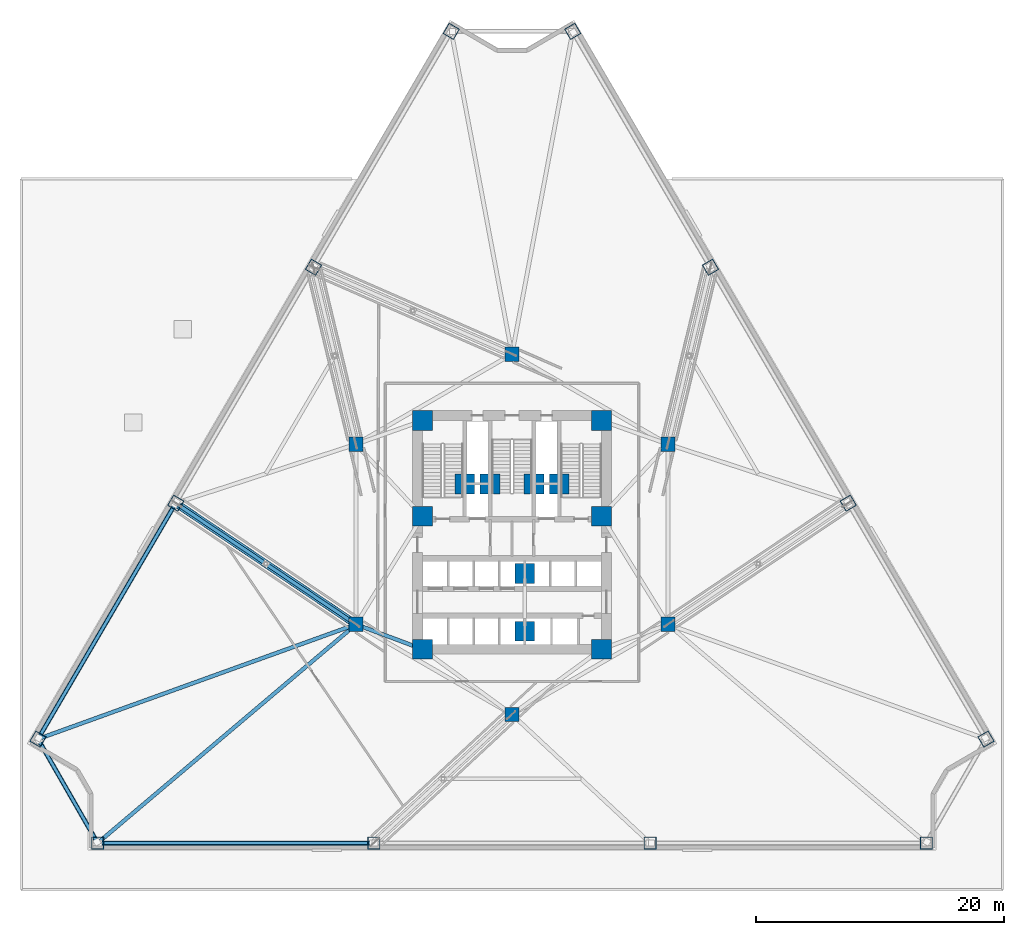
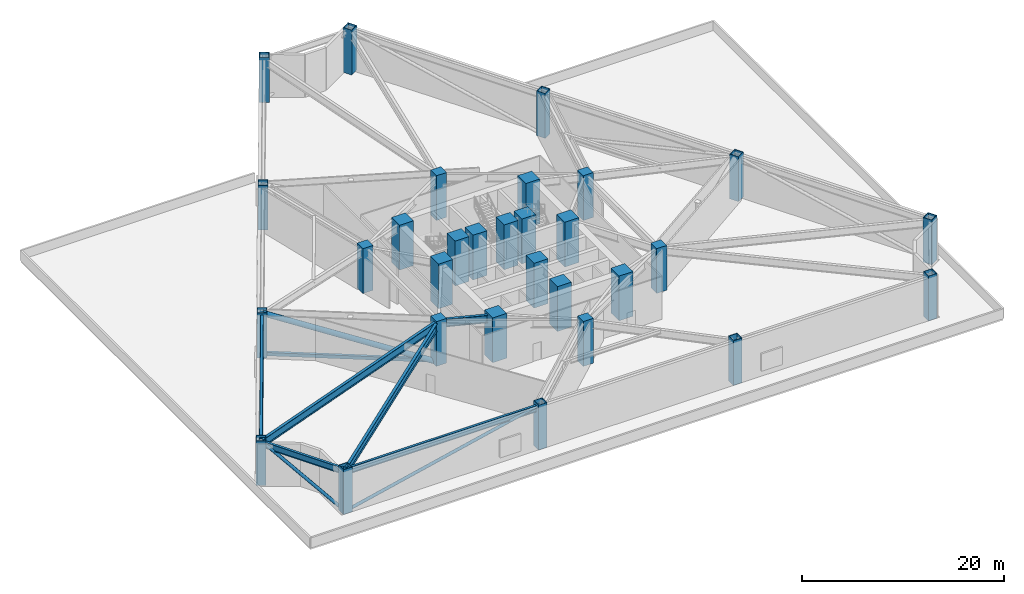
# One storey, part 1 of 23: 30 columns, 6 beams, 5 members.
"""IFC4 building model written with IfcOpenShell, lengths in metres."""

from ifc_helpers import new_model, si_unit, direction, frame, origin, origin_2d, place, context, subcontext, project, spatial, rectangle, hollow_rectangle, hollow_circle, i_section, extrude, material, material_profile, profile_set, type_object, element, save


model = new_model("IFC4")

# Units and contexts
model_context = context("Model", 3, precision=1e-05, world=origin(), true_north=direction((0.0, 1.0)))
body_context = subcontext(model_context, "Body", "Model", "MODEL_VIEW")
ifc_project = project(units=[si_unit("LENGTHUNIT", "METRE"), si_unit("AREAUNIT", "SQUARE_METRE"), si_unit("VOLUMEUNIT", "CUBIC_METRE"), si_unit("PLANEANGLEUNIT", "RADIAN"), si_unit("MASSUNIT", "GRAM", prefix="KILO")], contexts=[model_context])

# Site, building, storey
site_placement = place(None, origin())
site = spatial("IfcSite", under=ifc_project, at=site_placement, CompositionType="ELEMENT")
building_placement = place(site_placement, origin())
building = spatial("IfcBuilding", under=site, at=building_placement, Name="Apsidion Concourse Tower", CompositionType="ELEMENT")
storey_placement = place(building_placement, frame((0.0, 0.0, 29.0)))
storey = spatial("IfcBuildingStorey", under=building, at=storey_placement, Name="L05", CompositionType="ELEMENT", Elevation=29.0)

# Columns
ifc_material_1 = material(Name="Structural steel ASTM A572 Grade 50", Category="steel")
ifc_material_profile_1 = material_profile(ifc_material_1, hollow_rectangle(XDim=1.0, YDim=1.0, WallThickness=0.06005859375, at=origin_2d()), Name="BOX1000X1000X60")
ifc_profile_set_1 = profile_set([ifc_material_profile_1], Name="Structural steel ASTM A572 Grade 50")
column_type_1 = type_object("IfcColumnType", Name="COL-BOX-1000", PredefinedType="COLUMN", material=ifc_profile_set_1)
for number, where, z_axis, x_axis, name in (
    (1, (-4.887451171875, 40.481201171875, 0.0), (0.0, 0.0, 1.0), (0.50437692518, 0.863483594138, 0.0), "L05 Rotated Perimeter Column PC01"),
    (2, (-15.976318359375, 21.49365234375, 0.0), (0.0, 0.0, 1.0), (0.50437692518, 0.863483594138, 0.0), "L05 Rotated Perimeter Column PC02"),
    (3, (-27.065185546875, 2.50634765625, 0.0), (0.0, 0.0, 1.0), (0.50437692518, 0.863483594138, 0.0), "L05 Rotated Perimeter Column PC03"),
    (4, (-38.154052734375, -16.481201171875, 0.0), (0.0, 0.0, 1.0), (0.50437692518, 0.863483594138, 0.0), "L05 Rotated Perimeter Column PC04"),
    (5, (-33.35009765625, -24.85009765625, 0.0), (0.0, 0.0, 1.0), (1.0, 0.0, 0.0), "L05 Rotated Perimeter Column PC05"),
    (6, (-11.11669921875, -24.85009765625, 0.0), (0.0, 0.0, 1.0), (1.0, 0.0, 0.0), "L05 Rotated Perimeter Column PC06"),
    (7, (11.11669921875, -24.85009765625, 0.0), (0.0, 0.0, 1.0), (1.0, 0.0, 0.0), "L05 Rotated Perimeter Column PC07"),
    (8, (33.35009765625, -24.85009765625, 0.0), (0.0, 0.0, 1.0), (1.0, 0.0, 0.0), "L05 Rotated Perimeter Column PC08"),
    (9, (38.154052734375, -16.481201171875, 0.0), (0.0, 0.0, 1.0), (-0.50437692518, 0.863483594138, 0.0), "L05 Rotated Perimeter Column PC09"),
    (10, (27.065185546875, 2.50634765625, 0.0), (0.0, 0.0, 1.0), (-0.50437692518, 0.863483594138, 0.0), "L05 Rotated Perimeter Column PC10"),
    (11, (15.976318359375, 21.49365234375, 0.0), (0.0, 0.0, 1.0), (-0.50437692518, 0.863483594138, 0.0), "L05 Rotated Perimeter Column PC11"),
    (12, (4.887451171875, 40.481201171875, 0.0), (0.0, 0.0, 1.0), (-0.50437692518, 0.863483594138, 0.0), "L05 Rotated Perimeter Column PC12"),
):
    element("IfcColumn", number, at=place(storey_placement, frame(where, z_axis=z_axis, x_axis=x_axis)), inside=storey, type_object=column_type_1, Name=name, PredefinedType="COLUMN", context=body_context, shape_type="SweptSolid", body=[
        extrude(hollow_rectangle(XDim=1.0, YDim=1.0, WallThickness=0.06005859375, at=origin_2d()), origin(), (0.0, 0.0, 1.0), 5.39990234375),
    ])
ifc_material_2 = material(Name="Concrete C50/60", Category="concrete")
ifc_material_profile_2 = material_profile(ifc_material_2, rectangle(XDim=1.14990234375, YDim=1.14990234375, at=origin_2d()), Name="RC 1150x1150")
ifc_profile_set_2 = profile_set([ifc_material_profile_2], Name="Concrete C50/60")
column_type_2 = type_object("IfcColumnType", Name="COL-RC-1150", PredefinedType="COLUMN", material=ifc_profile_set_2)
for number, where, z_axis, x_axis, name in (
    (13, (-12.56005859375, -7.25, 0.0), (0.0, 0.0, 1.0), (1.0, 0.0, 0.0), "L05 Interior Spine Column IC1"),
    (14, (12.56005859375, -7.25, 0.0), (0.0, 0.0, 1.0), (1.0, 0.0, 0.0), "L05 Interior Spine Column IC2"),
    (15, (12.56005859375, 7.25, 0.0), (0.0, 0.0, 1.0), (1.0, 0.0, 0.0), "L05 Interior Spine Column IC3"),
    (16, (0.0, 14.5, 0.0), (0.0, 0.0, 1.0), (1.0, 0.0, 0.0), "L05 Interior Spine Column IC4"),
    (17, (-12.56005859375, 7.25, 0.0), (0.0, 0.0, 1.0), (1.0, 0.0, 0.0), "L05 Interior Spine Column IC5"),
    (18, (0.0, -14.5, 0.0), (0.0, 0.0, 1.0), (1.0, 0.0, 0.0), "L05 Interior Spine Column IC6"),
):
    element("IfcColumn", number, at=place(storey_placement, frame(where, z_axis=z_axis, x_axis=x_axis)), inside=storey, type_object=column_type_2, Name=name, PredefinedType="COLUMN", context=body_context, shape_type="SweptSolid", body=[
        extrude(rectangle(XDim=1.14990234375, YDim=1.14990234375, at=origin_2d()), origin(), (0.0, 0.0, 1.0), 5.39990234375),
    ])
ifc_material_3 = material(Name="Concrete C60/75", Category="concrete")
ifc_material_profile_3 = material_profile(ifc_material_3, rectangle(XDim=1.60009765625, YDim=1.60009765625, at=origin_2d()), Name="RC 1600x1600")
ifc_profile_set_3 = profile_set([ifc_material_profile_3], Name="Concrete C60/75")
column_type_3 = type_object("IfcColumnType", Name="COL-RC-1600", PredefinedType="COLUMN", material=ifc_profile_set_3)
for number, where, z_axis, x_axis, name in (
    (19, (-7.199951171875, -9.25, 0.0), (0.0, 0.0, 1.0), (1.0, 0.0, 0.0), "L05 Core Super-Column SC1"),
    (20, (7.199951171875, -9.25, 0.0), (0.0, 0.0, 1.0), (1.0, 0.0, 0.0), "L05 Core Super-Column SC2"),
    (21, (7.199951171875, 1.449951171875, 0.0), (0.0, 0.0, 1.0), (1.0, 0.0, 0.0), "L05 Core Super-Column SC3"),
    (22, (7.199951171875, 9.14990234375, 0.0), (0.0, 0.0, 1.0), (1.0, 0.0, 0.0), "L05 Core Super-Column SC4"),
    (23, (-7.199951171875, 9.14990234375, 0.0), (0.0, 0.0, 1.0), (1.0, 0.0, 0.0), "L05 Core Super-Column SC5"),
    (24, (-7.199951171875, 1.449951171875, 0.0), (0.0, 0.0, 1.0), (1.0, 0.0, 0.0), "L05 Core Super-Column SC6"),
    (25, (-3.800048828125, 4.050048828125, 0.0), (0.0, 0.0, 1.0), (1.0, 0.0, 0.0), "L05 Core Super-Column CC1"),
    (26, (3.800048828125, 4.050048828125, 0.0), (0.0, 0.0, 1.0), (1.0, 0.0, 0.0), "L05 Core Super-Column CC2"),
    (27, (-1.77490234375, 4.050048828125, 0.0), (0.0, 0.0, 1.0), (1.0, 0.0, 0.0), "L05 Core Super-Column CC3"),
    (28, (1.77490234375, 4.050048828125, 0.0), (0.0, 0.0, 1.0), (1.0, 0.0, 0.0), "L05 Core Super-Column CC4"),
    (29, (1.02490234375, -3.14990234375, 0.0), (0.0, 0.0, 1.0), (1.0, 0.0, 0.0), "L05 Core Super-Column CC5"),
    (30, (1.02490234375, -7.800048828125, 0.0), (0.0, 0.0, 1.0), (1.0, 0.0, 0.0), "L05 Core Super-Column CC6"),
):
    element("IfcColumn", number, at=place(storey_placement, frame(where, z_axis=z_axis, x_axis=x_axis)), inside=storey, type_object=column_type_3, Name=name, PredefinedType="COLUMN", context=body_context, shape_type="SweptSolid", body=[
        extrude(rectangle(XDim=1.60009765625, YDim=1.60009765625, at=origin_2d()), origin(), (0.0, 0.0, 1.0), 5.39990234375),
    ])

# Beams
ifc_material_4 = material(Name="Structural steel ASTM A992 Grade 50", Category="steel")
ifc_material_profile_4 = material_profile(ifc_material_4, i_section(OverallWidth=0.31005859375, OverallDepth=0.931884765625, WebThickness=0.02099609375, FlangeThickness=0.034423828125, at=origin_2d()), Name="W36X210")
ifc_profile_set_4 = profile_set([ifc_material_profile_4], Name="Structural steel ASTM A992 Grade 50")
beam_type_1 = type_object("IfcBeamType", Name="BM-G-W36", PredefinedType="USERDEFINED", material=ifc_profile_set_4)
beam_1_placement = place(storey_placement, frame((-12.185302734375, -7.389892578125, 4.68408203125), z_axis=(0.936913021145, -0.349562570664, 0.0), x_axis=(0.349562570664, 0.936913021145, 0.0)))
element("IfcBeam", 31, at=beam_1_placement, inside=storey, type_object=beam_type_1, Name="L05 Core Coupling Girder IC1-SC1", ObjectType="GIRDER", PredefinedType="USERDEFINED", context=body_context, shape_type="SweptSolid", body=[
    extrude(i_section(OverallWidth=0.31005859375, OverallDepth=0.931884765625, WebThickness=0.02099609375, FlangeThickness=0.034423828125, at=origin_2d()), origin(), (0.0, 0.0, 1.0), 4.921142578125),
])
beam_2_placement = place(storey_placement, frame((-12.76708984375, -7.32470703125, 4.68408203125), z_axis=(-0.940684701446, -0.339282024968, 0.0), x_axis=(0.339282024968, -0.940684701446, 0.0)))
element("IfcBeam", 32, at=beam_2_placement, inside=storey, type_object=beam_type_1, Name="L05 Radial Floor Girder RAD-04", ObjectType="GIRDER", PredefinedType="USERDEFINED", context=body_context, shape_type="SweptSolid", body=[
    extrude(i_section(OverallWidth=0.31005859375, OverallDepth=0.931884765625, WebThickness=0.02099609375, FlangeThickness=0.034423828125, at=origin_2d()), origin(), (0.0, 0.0, 1.0), 26.767578125),
])
beam_3_placement = place(storey_placement, frame((-12.727783203125, -7.39208984375, 4.68408203125), z_axis=(-0.763231804576, -0.646124765416, 0.0), x_axis=(0.646124765416, -0.763231804576, 0.0)))
element("IfcBeam", 33, at=beam_3_placement, inside=storey, type_object=beam_type_1, Name="L05 Radial Floor Girder RAD-05", ObjectType="GIRDER", PredefinedType="USERDEFINED", context=body_context, shape_type="SweptSolid", body=[
    extrude(i_section(OverallWidth=0.31005859375, OverallDepth=0.931884765625, WebThickness=0.02099609375, FlangeThickness=0.034423828125, at=origin_2d()), origin(), (0.0, 0.0, 1.0), 26.799560546875),
])
ifc_material_profile_5 = material_profile(ifc_material_4, i_section(OverallWidth=0.26806640625, OverallDepth=0.77001953125, WebThickness=0.015625, FlangeThickness=0.025390625, at=origin_2d()), Name="W30X132")
ifc_profile_set_5 = profile_set([ifc_material_profile_5], Name="Structural steel ASTM A992 Grade 50")
beam_type_2 = type_object("IfcBeamType", Name="BM-SP-W30", PredefinedType="SPANDREL", material=ifc_profile_set_5)
beam_4_placement = place(storey_placement, frame((-27.176025390625, 2.31640625, 4.764892578125), z_axis=(-0.504316170532, -0.863519079198, 0.0), x_axis=(0.863519079198, -0.504316170532, 0.0)))
element("IfcBeam", 34, at=beam_4_placement, inside=storey, type_object=beam_type_2, Name="L05 Perimeter Spandrel Girder SP-03", PredefinedType="SPANDREL", context=body_context, shape_type="SweptSolid", body=[
    extrude(i_section(OverallWidth=0.26806640625, OverallDepth=0.77001953125, WebThickness=0.015625, FlangeThickness=0.025390625, at=origin_2d()), origin(), (0.0, 0.0, 1.0), 21.54833984375),
])
beam_5_placement = place(storey_placement, frame((-38.04443359375, -16.671875, 4.764892578125), z_axis=(0.497839457155, -0.867269205553, 0.0), x_axis=(0.867269205553, 0.497839457155, 0.0)))
element("IfcBeam", 35, at=beam_5_placement, inside=storey, type_object=beam_type_2, Name="L05 Perimeter Spandrel Girder SP-04", PredefinedType="SPANDREL", context=body_context, shape_type="SweptSolid", body=[
    extrude(i_section(OverallWidth=0.26806640625, OverallDepth=0.77001953125, WebThickness=0.015625, FlangeThickness=0.025390625, at=origin_2d()), origin(), (0.0, 0.0, 1.0), 9.209716796875),
])
beam_6_placement = place(storey_placement, frame((-33.1298828125, -24.85009765625, 4.764892578125), z_axis=(1.0, 0.0, 0.0), x_axis=(0.0, 1.0, 0.0)))
element("IfcBeam", 36, at=beam_6_placement, inside=storey, type_object=beam_type_2, Name="L05 Perimeter Spandrel Girder SP-05", PredefinedType="SPANDREL", context=body_context, shape_type="SweptSolid", body=[
    extrude(i_section(OverallWidth=0.26806640625, OverallDepth=0.77001953125, WebThickness=0.015625, FlangeThickness=0.025390625, at=origin_2d()), origin(), (0.0, 0.0, 1.0), 21.793212890625),
])

# Members
ifc_material_5 = material(Name="Structural steel ASTM A500 Grade C", Category="steel")
ifc_material_profile_6 = material_profile(ifc_material_5, hollow_circle(Radius=0.177978515625, WallThickness=0.02001953125, at=origin_2d()), Name="CHS356X20")
ifc_profile_set_6 = profile_set([ifc_material_profile_6], Name="Structural steel ASTM A500 Grade C")
member_type_1 = type_object("IfcMemberType", Name="MB-BR-CHS356", PredefinedType="BRACE", material=ifc_profile_set_6)
member_1_placement = place(storey_placement, frame((-27.115478515625, 2.419921875, 0.0), z_axis=(-0.491285607272, -0.841223039182, 0.225792494199), x_axis=(0.863523161878, -0.504309179869, 0.0)))
element("IfcMember", 37, at=member_1_placement, inside=storey, type_object=member_type_1, Name="L05 Perimeter Belt-Truss Diagonal BT-03", PredefinedType="BRACE", context=body_context, shape_type="SweptSolid", body=[
    extrude(hollow_circle(Radius=0.177978515625, WallThickness=0.02001953125, at=origin_2d()), origin(), (0.0, 0.0, 1.0), 22.365966796875),
])
member_2_placement = place(storey_placement, frame((-33.39990234375, -24.76318359375, 0.0), z_axis=(-0.439070180611, 0.764892201087, 0.471335652391), x_axis=(-0.867270036146, -0.497838010203, 0.0)))
element("IfcMember", 38, at=member_2_placement, inside=storey, type_object=member_type_1, Name="L05 Perimeter Belt-Truss Diagonal BT-04", PredefinedType="BRACE", context=body_context, shape_type="SweptSolid", body=[
    extrude(hollow_circle(Radius=0.177978515625, WallThickness=0.02001953125, at=origin_2d()), origin(), (0.0, 0.0, 1.0), 10.71435546875),
])
member_3_placement = place(storey_placement, frame((-33.25, -24.85009765625, 0.0), z_axis=(0.974724871199, 0.0, 0.22340865128), x_axis=(0.0, 1.0, 0.0)))
element("IfcMember", 39, at=member_3_placement, inside=storey, type_object=member_type_1, Name="L05 Perimeter Belt-Truss Diagonal BT-05", PredefinedType="BRACE", context=body_context, shape_type="SweptSolid", body=[
    extrude(hollow_circle(Radius=0.177978515625, WallThickness=0.02001953125, at=origin_2d()), origin(), (0.0, 0.0, 1.0), 22.6044921875),
])
ifc_material_profile_7 = material_profile(ifc_material_1, hollow_circle(Radius=0.304931640625, WallThickness=0.031982421875, at=origin_2d()), Name="CHS610X32")
ifc_profile_set_7 = profile_set([ifc_material_profile_7], Name="Structural steel ASTM A572 Grade 50")
member_type_2 = type_object("IfcMemberType", Name="MB-BR-CHS610", PredefinedType="BRACE", material=ifc_profile_set_7)
member_4_placement = place(storey_placement, frame((-12.64306640625, -7.194091796875, 0.0), z_axis=(-0.796457418459, 0.535699757527, 0.280501961433), x_axis=(-0.558105777834, -0.829769811905, 0.0)))
element("IfcMember", 40, at=member_4_placement, inside=storey, type_object=member_type_2, Name="L05 Radial Outrigger Truss Diagonal OT-01", PredefinedType="BRACE", context=body_context, shape_type="SweptSolid", body=[
    extrude(hollow_circle(Radius=0.304931640625, WallThickness=0.031982421875, at=origin_2d()), origin(), (0.0, 0.0, 1.0), 18.003662109375),
])
ifc_material_profile_8 = material_profile(ifc_material_5, hollow_rectangle(XDim=0.300048828125, YDim=0.39990234375, WallThickness=0.02001953125, at=origin_2d()), Name="HSS400X300X20")
ifc_profile_set_8 = profile_set([ifc_material_profile_8], Name="Structural steel ASTM A500 Grade C")
member_type_3 = type_object("IfcMemberType", Name="MB-CH-HSS400", PredefinedType="CHORD", material=ifc_profile_set_8)
member_5_placement = place(storey_placement, frame((-12.64306640625, -7.194091796875, 0.219970703125), z_axis=(-0.829769811905, 0.558105777834, 0.0), x_axis=(-0.558105777834, -0.829769811905, 0.0)))
element("IfcMember", 41, at=member_5_placement, inside=storey, type_object=member_type_3, Name="L05 Radial Outrigger Bottom Chord OTC-01", PredefinedType="CHORD", context=body_context, shape_type="SweptSolid", body=[
    extrude(hollow_rectangle(XDim=0.300048828125, YDim=0.39990234375, WallThickness=0.02001953125, at=origin_2d()), origin(), (0.0, 0.0, 1.0), 17.28076171875),
])

save(model, "model.ifc")
